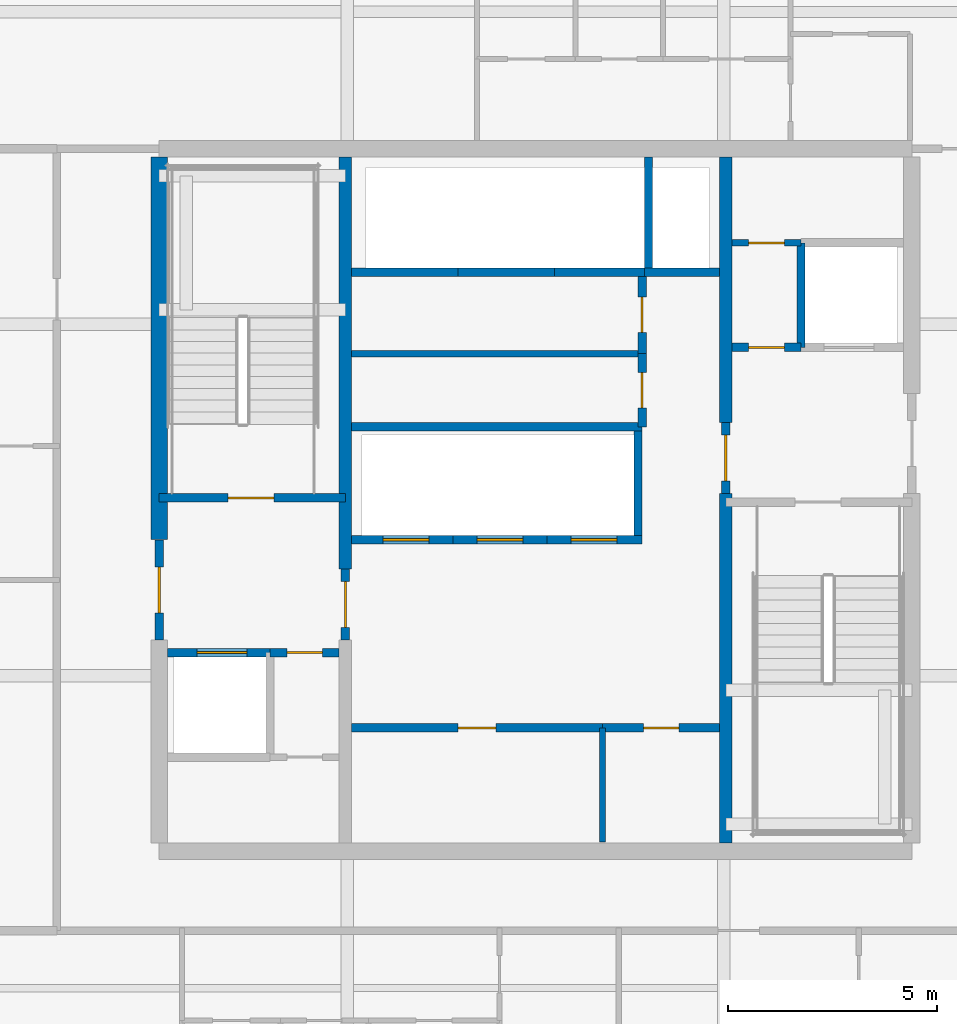
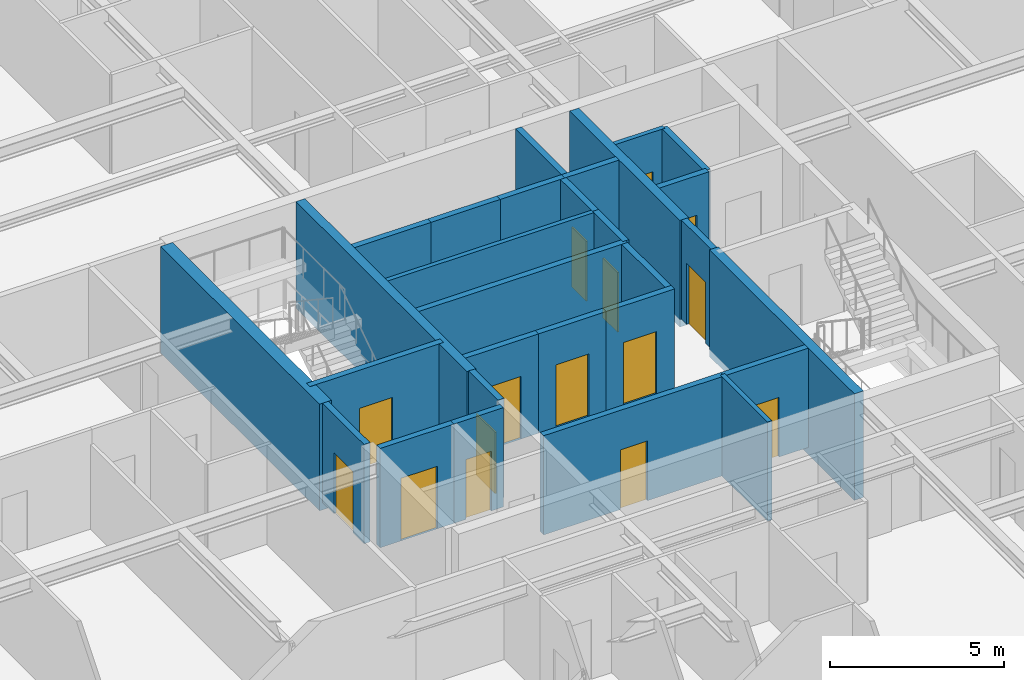
# One storey, part 25 of 34: 29 walls, 15 doors, 15 openings.
"""IFC4 building model written with IfcOpenShell, lengths in metres."""

from ifc_helpers import new_model, si_unit, direction, frame, frame_2d, origin, place, context, subcontext, project, spatial, rectangle, extrude, source, transform, mapped, material, layer, layer_set, type_object, element, fill, save


model = new_model("IFC4")

# Units and contexts
model_context = context("Model", 3, precision=1e-05, world=origin(), true_north=direction((0.0, 1.0)))
body_context = subcontext(model_context, "Body", "Model", "MODEL_VIEW")
ifc_project = project(units=[si_unit("LENGTHUNIT", "METRE"), si_unit("AREAUNIT", "SQUARE_METRE"), si_unit("VOLUMEUNIT", "CUBIC_METRE"), si_unit("PLANEANGLEUNIT", "RADIAN"), si_unit("MASSUNIT", "GRAM", prefix="KILO")], contexts=[model_context])

# Site, building, storey
site_placement = place(None, origin())
site = spatial("IfcSite", under=ifc_project, at=site_placement, CompositionType="ELEMENT")
building_placement = place(site_placement, origin())
building = spatial("IfcBuilding", under=site, at=building_placement, Name="Serunith Strait Residences", CompositionType="ELEMENT")
storey_placement = place(building_placement, frame((0.0, 0.0, 135.14990234375)))
storey = spatial("IfcBuildingStorey", under=building, at=storey_placement, Name="L33", CompositionType="ELEMENT", Elevation=135.14990234375)

# Wall, opening, door
ifc_material_1 = material(Name="Fire-rated masonry service closet wall", Category="masonry")
ifc_layer_1 = layer(ifc_material_1, 0.14990234375, Name="Fire-rated masonry service closet wall")
ifc_layer_set_1 = layer_set([ifc_layer_1], Name="Fire-rated masonry service closet wall")
wall_type_1 = type_object("IfcWallType", Name="IW-BOH-150", PredefinedType="PARTITIONING", material=ifc_layer_set_1)
wall_1_placement = place(storey_placement, frame((37.10009765625, 31.35009765625, 0.0), z_axis=(0.0, 0.0, 1.0), x_axis=(1.0, 0.0, 0.0)))
wall_1 = element("IfcWall", 1, at=wall_1_placement, inside=storey, type_object=wall_type_1, Name="L33 Partition Wall 013", PredefinedType="PARTITIONING", context=body_context, shape_type="SweptSolid", body=[
    extrude(rectangle(XDim=1.64794921875, YDim=0.14990234375, at=frame_2d((0.823974609375, 0.0))), origin(), (0.0, 0.0, 1.0), 3.489990234375),
])
opening_1_placement = place(wall_1_placement, frame((0.39892578125, 0.0, 0.0)))
opening_1 = element("IfcOpeningElement", 2, at=opening_1_placement, cuts=wall_1, Name="Opening FD-850", PredefinedType="OPENING", context=body_context, shape_type="SweptSolid", body=[
    extrude(rectangle(XDim=0.85009765625, YDim=2.10009765625, at=frame_2d((0.425048828125, 1.050048828125))), frame((0.0, 0.0849609375, 0.0), z_axis=(0.0, -1.0, 0.0), x_axis=(1.0, 0.0, 0.0)), (0.0, 0.0, 1.0), 0.169921875),
])
ifc_material_2 = material(Name="Powder-coated steel service closet door", Category="steel")
door_type_1 = type_object("IfcDoorType", Name="FD-BOH-850", OperationType="NOTDEFINED", PredefinedType="DOOR", material=ifc_material_2)
shared_shape_1 = source(origin(), body_context, "Body", "SweptSolid", [
    extrude(rectangle(XDim=0.85009765625, YDim=2.10009765625, at=frame_2d((0.425048828125, 1.050048828125))), frame((0.0, 0.02490234375, 0.0), z_axis=(0.0, -1.0, 0.0), x_axis=(1.0, 0.0, 0.0)), (0.0, 0.0, 1.0), 0.050048828125),
])
door_1_placement = place(opening_1_placement, origin())
door_1 = element("IfcDoor", 3, at=door_1_placement, inside=storey, type_object=door_type_1, Name="L33 Refuse Store Door", OperationType="SINGLE_SWING_RIGHT", OverallHeight=2.10009765625, OverallWidth=0.85009765625, PredefinedType="DOOR", context=body_context, shape_type="MappedRepresentation", body=[
    mapped(shared_shape_1, transform((0.0, 0.0, 0.0), scale=1.0)),
])
fill(opening_1, door_1)

# Walls
wall_2_placement = place(storey_placement, frame((28.0, 28.699951171875, 0.0), z_axis=(0.0, 0.0, 1.0), x_axis=(1.0, 0.0, 0.0)))
element("IfcWall", 4, at=wall_2_placement, inside=storey, type_object=wall_type_1, Name="L33 Partition Wall 016", PredefinedType="PARTITIONING", context=body_context, shape_type="SweptSolid", body=[
    extrude(rectangle(XDim=6.949951171875, YDim=0.14990234375, at=frame_2d((3.47509765625, 0.0))), origin(), (0.0, 0.0, 1.0), 3.489990234375),
])
wall_3_placement = place(storey_placement, frame((34.0, 17.02001953125, 0.0), z_axis=(0.0, 0.0, 1.0), x_axis=(0.0, 1.0, 0.0)))
element("IfcWall", 5, at=wall_3_placement, inside=storey, type_object=wall_type_1, Name="L33 Partition Wall 019", PredefinedType="PARTITIONING", context=body_context, shape_type="SweptSolid", body=[
    extrude(rectangle(XDim=2.72998046875, YDim=0.14990234375, at=frame_2d((1.364990234375, 0.0))), origin(), (0.0, 0.0, 1.0), 3.489990234375),
])

# Wall, opening, door
ifc_material_3 = material(Name="Autoclaved aerated concrete blockwork", Category="masonry")
ifc_layer_2 = layer(ifc_material_3, 0.199951171875, Name="Autoclaved aerated concrete blockwork")
ifc_layer_set_2 = layer_set([ifc_layer_2], Name="Autoclaved aerated concrete blockwork")
wall_type_2 = type_object("IfcWallType", Name="IW-SHAFT-200", PredefinedType="STANDARD", material=ifc_layer_set_2)
wall_4_placement = place(storey_placement, frame((23.39990234375, 25.25, 0.0), z_axis=(0.0, 0.0, 1.0), x_axis=(1.0, 0.0, 0.0)))
wall_4 = element("IfcWall", 6, at=wall_4_placement, inside=storey, type_object=wall_type_2, Name="L33 ST-1 South Shaft Wall", PredefinedType="STANDARD", context=body_context, shape_type="SweptSolid", body=[
    extrude(rectangle(XDim=4.4501953125, YDim=0.199951171875, at=frame_2d((2.22509765625, 0.0))), origin(), (0.0, 0.0, 1.0), 3.489990234375),
])
opening_2_placement = place(wall_4_placement, frame((1.64990234375, 0.0, 0.0)))
opening_2 = element("IfcOpeningElement", 7, at=opening_2_placement, cuts=wall_4, Name="Opening FD-1100", PredefinedType="OPENING", context=body_context, shape_type="SweptSolid", body=[
    extrude(rectangle(XDim=1.10009765625, YDim=2.14990234375, at=frame_2d((0.550048828125, 1.074951171875))), frame((0.0, 0.10986328125, 0.0), z_axis=(0.0, -1.0, 0.0), x_axis=(1.0, 0.0, 0.0)), (0.0, 0.0, 1.0), 0.219970703125),
])
ifc_material_4 = material(Name="Galvanised steel fire door leaf", Category="steel")
door_type_2 = type_object("IfcDoorType", Name="FD-STAIR-1100", OperationType="NOTDEFINED", PredefinedType="DOOR", material=ifc_material_4)
shared_shape_2 = source(origin(), body_context, "Body", "SweptSolid", [
    extrude(rectangle(XDim=1.10009765625, YDim=2.14990234375, at=frame_2d((0.550048828125, 1.074951171875))), frame((0.0, 0.02490234375, 0.0), z_axis=(0.0, -1.0, 0.0), x_axis=(1.0, 0.0, 0.0)), (0.0, 0.0, 1.0), 0.050048828125),
])
door_2_placement = place(opening_2_placement, origin())
door_2 = element("IfcDoor", 8, at=door_2_placement, inside=storey, type_object=door_type_2, Name="L33 ST-1 Escape Stair Door", OperationType="SINGLE_SWING_LEFT", OverallHeight=2.14990234375, OverallWidth=1.10009765625, PredefinedType="DOOR", context=body_context, shape_type="MappedRepresentation", body=[
    mapped(shared_shape_2, transform((0.0, 0.0, 0.0), scale=1.0)),
])
fill(opening_2, door_2)

wall_5_placement = place(storey_placement, frame((23.60009765625, 21.550048828125, 0.0), z_axis=(0.0, 0.0, 1.0), x_axis=(1.0, 0.0, 0.0)))
wall_5 = element("IfcWall", 9, at=wall_5_placement, inside=storey, type_object=wall_type_2, Name="L33 FL-1 North Shaft Wall", PredefinedType="STANDARD", context=body_context, shape_type="SweptSolid", body=[
    extrude(rectangle(XDim=2.449951171875, YDim=0.199951171875, at=frame_2d((1.22509765625, 0.0))), origin(), (0.0, 0.0, 1.0), 3.489990234375),
])
opening_3_placement = place(wall_5_placement, frame((0.699951171875, 0.0, 0.0)))
opening_3 = element("IfcOpeningElement", 10, at=opening_3_placement, cuts=wall_5, Name="Opening LD-FF1200", PredefinedType="OPENING", context=body_context, shape_type="SweptSolid", body=[
    extrude(rectangle(XDim=1.199951171875, YDim=2.199951171875, at=frame_2d((0.60009765625, 1.10009765625))), frame((0.0, 0.10986328125, 0.0), z_axis=(0.0, -1.0, 0.0), x_axis=(1.0, 0.0, 0.0)), (0.0, 0.0, 1.0), 0.219970703125),
])
ifc_material_5 = material(Name="Brushed stainless steel landing door", Category="steel")
door_type_3 = type_object("IfcDoorType", Name="LD-FF-1200", OperationType="DOUBLE_DOOR_SLIDING", PredefinedType="DOOR", material=ifc_material_5)
shared_shape_3 = source(origin(), body_context, "Body", "SweptSolid", [
    extrude(rectangle(XDim=1.199951171875, YDim=2.199951171875, at=frame_2d((0.60009765625, 1.10009765625))), frame((0.0, 0.02490234375, 0.0), z_axis=(0.0, -1.0, 0.0), x_axis=(1.0, 0.0, 0.0)), (0.0, 0.0, 1.0), 0.050048828125),
])
door_3_placement = place(opening_3_placement, origin())
door_3 = element("IfcDoor", 11, at=door_3_placement, inside=storey, type_object=door_type_3, Name="L33 FL-1 Landing Door", OperationType="DOUBLE_DOOR_SLIDING", OverallHeight=2.199951171875, OverallWidth=1.199951171875, PredefinedType="DOOR", context=body_context, shape_type="MappedRepresentation", body=[
    mapped(shared_shape_3, transform((0.0, 0.0, 0.0), scale=1.0)),
])
fill(opening_3, door_3)

wall_6_placement = place(storey_placement, frame((28.0, 24.25, 0.0), z_axis=(0.0, 0.0, 1.0), x_axis=(1.0, 0.0, 0.0)))
wall_6 = element("IfcWall", 12, at=wall_6_placement, inside=storey, type_object=wall_type_2, Name="L33 PL-4 South Shaft Wall", PredefinedType="STANDARD", context=body_context, shape_type="SweptSolid", body=[
    extrude(rectangle(XDim=2.425048828125, YDim=0.199951171875, at=frame_2d((1.21240234375, 0.0))), origin(), (0.0, 0.0, 1.0), 3.489990234375),
])
opening_4_placement = place(wall_6_placement, frame((0.75, 0.0, 0.0)))
opening_4 = element("IfcOpeningElement", 13, at=opening_4_placement, cuts=wall_6, Name="Opening LD-1100", PredefinedType="OPENING", context=body_context, shape_type="SweptSolid", body=[
    extrude(rectangle(XDim=1.10009765625, YDim=2.199951171875, at=frame_2d((0.550048828125, 1.10009765625))), frame((0.0, 0.10986328125, 0.0), z_axis=(0.0, -1.0, 0.0), x_axis=(1.0, 0.0, 0.0)), (0.0, 0.0, 1.0), 0.219970703125),
])
ifc_material_6 = material(Name="Pale-champagne stainless landing door")
door_type_4 = type_object("IfcDoorType", Name="LD-LIFT-1100", OperationType="DOUBLE_DOOR_SLIDING", PredefinedType="DOOR", material=ifc_material_6)
shared_shape_4 = source(origin(), body_context, "Body", "SweptSolid", [
    extrude(rectangle(XDim=1.10009765625, YDim=2.199951171875, at=frame_2d((0.550048828125, 1.10009765625))), frame((0.0, 0.02490234375, 0.0), z_axis=(0.0, -1.0, 0.0), x_axis=(1.0, 0.0, 0.0)), (0.0, 0.0, 1.0), 0.050048828125),
])
door_4_placement = place(opening_4_placement, origin())
door_4 = element("IfcDoor", 14, at=door_4_placement, inside=storey, type_object=door_type_4, Name="L33 PL-4 Landing Door", OperationType="DOUBLE_DOOR_SLIDING", OverallHeight=2.199951171875, OverallWidth=1.10009765625, PredefinedType="DOOR", context=body_context, shape_type="MappedRepresentation", body=[
    mapped(shared_shape_4, transform((0.0, 0.0, 0.0), scale=1.0)),
])
fill(opening_4, door_4)

wall_7_placement = place(storey_placement, frame((30.425048828125, 24.25, 0.0), z_axis=(0.0, 0.0, 1.0), x_axis=(1.0, 0.0, 0.0)))
wall_7 = element("IfcWall", 15, at=wall_7_placement, inside=storey, type_object=wall_type_2, Name="L33 PL-5 South Shaft Wall", PredefinedType="STANDARD", context=body_context, shape_type="SweptSolid", body=[
    extrude(rectangle(XDim=2.25, YDim=0.199951171875, at=frame_2d((1.125, 0.0))), origin(), (0.0, 0.0, 1.0), 3.489990234375),
])
opening_5_placement = place(wall_7_placement, frame((0.574951171875, 0.0, 0.0)))
opening_5 = element("IfcOpeningElement", 16, at=opening_5_placement, cuts=wall_7, Name="Opening LD-1100", PredefinedType="OPENING", context=body_context, shape_type="SweptSolid", body=[
    extrude(rectangle(XDim=1.10009765625, YDim=2.199951171875, at=frame_2d((0.550048828125, 1.10009765625))), frame((0.0, 0.10986328125, 0.0), z_axis=(0.0, -1.0, 0.0), x_axis=(1.0, 0.0, 0.0)), (0.0, 0.0, 1.0), 0.219970703125),
])
door_5_placement = place(opening_5_placement, origin())
door_5 = element("IfcDoor", 17, at=door_5_placement, inside=storey, type_object=door_type_4, Name="L33 PL-5 Landing Door", OperationType="DOUBLE_DOOR_SLIDING", OverallHeight=2.199951171875, OverallWidth=1.10009765625, PredefinedType="DOOR", context=body_context, shape_type="MappedRepresentation", body=[
    mapped(shared_shape_4, transform((0.0, 0.0, 0.0), scale=1.0)),
])
fill(opening_5, door_5)

wall_8_placement = place(storey_placement, frame((32.675048828125, 24.25, 0.0), z_axis=(0.0, 0.0, 1.0), x_axis=(1.0, 0.0, 0.0)))
wall_8 = element("IfcWall", 18, at=wall_8_placement, inside=storey, type_object=wall_type_2, Name="L33 PL-6 South Shaft Wall", PredefinedType="STANDARD", context=body_context, shape_type="SweptSolid", body=[
    extrude(rectangle(XDim=2.27490234375, YDim=0.199951171875, at=frame_2d((1.137451171875, 0.0))), origin(), (0.0, 0.0, 1.0), 3.489990234375),
])
opening_6_placement = place(wall_8_placement, frame((0.574951171875, 0.0, 0.0)))
opening_6 = element("IfcOpeningElement", 19, at=opening_6_placement, cuts=wall_8, Name="Opening LD-1100", PredefinedType="OPENING", context=body_context, shape_type="SweptSolid", body=[
    extrude(rectangle(XDim=1.10009765625, YDim=2.199951171875, at=frame_2d((0.550048828125, 1.10009765625))), frame((0.0, 0.10986328125, 0.0), z_axis=(0.0, -1.0, 0.0), x_axis=(1.0, 0.0, 0.0)), (0.0, 0.0, 1.0), 0.219970703125),
])
door_6_placement = place(opening_6_placement, origin())
door_6 = element("IfcDoor", 20, at=door_6_placement, inside=storey, type_object=door_type_4, Name="L33 PL-6 Landing Door", OperationType="DOUBLE_DOOR_SLIDING", OverallHeight=2.199951171875, OverallWidth=1.10009765625, PredefinedType="DOOR", context=body_context, shape_type="MappedRepresentation", body=[
    mapped(shared_shape_4, transform((0.0, 0.0, 0.0), scale=1.0)),
])
fill(opening_6, door_6)

# Walls
wall_9_placement = place(storey_placement, frame((34.85009765625, 24.35009765625, 0.0), z_axis=(0.0, 0.0, 1.0), x_axis=(0.0, 1.0, 0.0)))
element("IfcWall", 21, at=wall_9_placement, inside=storey, type_object=wall_type_2, Name="L33 PL-6 East Shaft Wall", PredefinedType="STANDARD", context=body_context, shape_type="SweptSolid", body=[
    extrude(rectangle(XDim=2.5, YDim=0.199951171875, at=frame_2d((1.25, 0.0))), origin(), (0.0, 0.0, 1.0), 3.489990234375),
])
wall_10_placement = place(storey_placement, frame((28.0, 30.64990234375, 0.0), z_axis=(0.0, 0.0, 1.0), x_axis=(1.0, 0.0, 0.0)))
element("IfcWall", 22, at=wall_10_placement, inside=storey, type_object=wall_type_2, Name="L33 PL-7 South Shaft Wall", PredefinedType="STANDARD", context=body_context, shape_type="SweptSolid", body=[
    extrude(rectangle(XDim=2.550048828125, YDim=0.199951171875, at=frame_2d((1.27490234375, 0.0))), origin(), (0.0, 0.0, 1.0), 3.489990234375),
])
wall_11_placement = place(storey_placement, frame((30.550048828125, 30.64990234375, 0.0), z_axis=(0.0, 0.0, 1.0), x_axis=(1.0, 0.0, 0.0)))
element("IfcWall", 23, at=wall_11_placement, inside=storey, type_object=wall_type_2, Name="L33 PL-8 South Shaft Wall", PredefinedType="STANDARD", context=body_context, shape_type="SweptSolid", body=[
    extrude(rectangle(XDim=2.300048828125, YDim=0.199951171875, at=frame_2d((1.14990234375, 0.0))), origin(), (0.0, 0.0, 1.0), 3.489990234375),
])
wall_12_placement = place(storey_placement, frame((32.85009765625, 30.64990234375, 0.0), z_axis=(0.0, 0.0, 1.0), x_axis=(1.0, 0.0, 0.0)))
element("IfcWall", 24, at=wall_12_placement, inside=storey, type_object=wall_type_2, Name="L33 PL-9 South Shaft Wall", PredefinedType="STANDARD", context=body_context, shape_type="SweptSolid", body=[
    extrude(rectangle(XDim=2.14990234375, YDim=0.199951171875, at=frame_2d((1.074951171875, 0.0))), origin(), (0.0, 0.0, 1.0), 3.489990234375),
])
wall_13_placement = place(storey_placement, frame((35.0, 30.64990234375, 0.0), z_axis=(0.0, 0.0, 1.0), x_axis=(1.0, 0.0, 0.0)))
element("IfcWall", 25, at=wall_13_placement, inside=storey, type_object=wall_type_2, Name="L33 SL-1 South Shaft Wall", PredefinedType="STANDARD", context=body_context, shape_type="SweptSolid", body=[
    extrude(rectangle(XDim=1.800048828125, YDim=0.199951171875, at=frame_2d((0.89990234375, 0.0))), origin(), (0.0, 0.0, 1.0), 3.489990234375),
])
wall_14_placement = place(storey_placement, frame((35.10009765625, 30.75, 0.0), z_axis=(0.0, 0.0, 1.0), x_axis=(0.0, 1.0, 0.0)))
element("IfcWall", 26, at=wall_14_placement, inside=storey, type_object=wall_type_2, Name="L33 SL-1 West Shaft Wall", PredefinedType="STANDARD", context=body_context, shape_type="SweptSolid", body=[
    extrude(rectangle(XDim=2.64990234375, YDim=0.199951171875, at=frame_2d((1.324951171875, 0.0))), origin(), (0.0, 0.0, 1.0), 3.489990234375),
])

# Wall, opening, door
wall_15_placement = place(storey_placement, frame((26.052001953125, 21.550048828125, 0.0), z_axis=(0.0, 0.0, 1.0), x_axis=(1.0, 0.0, 0.0)))
wall_15 = element("IfcWall", 27, at=wall_15_placement, inside=storey, type_object=wall_type_2, Name="L33 Partition Wall 003", PredefinedType="STANDARD", context=body_context, shape_type="SweptSolid", body=[
    extrude(rectangle(XDim=1.64794921875, YDim=0.199951171875, at=frame_2d((0.823974609375, 0.0))), origin(), (0.0, 0.0, 1.0), 3.489990234375),
])
opening_7_placement = place(wall_15_placement, frame((0.39892578125, 0.0, 0.0)))
opening_7 = element("IfcOpeningElement", 28, at=opening_7_placement, cuts=wall_15, Name="Opening FD-850", PredefinedType="OPENING", context=body_context, shape_type="SweptSolid", body=[
    extrude(rectangle(XDim=0.85009765625, YDim=2.10009765625, at=frame_2d((0.425048828125, 1.050048828125))), frame((0.0, 0.10986328125, 0.0), z_axis=(0.0, -1.0, 0.0), x_axis=(1.0, 0.0, 0.0)), (0.0, 0.0, 1.0), 0.219970703125),
])
door_7_placement = place(opening_7_placement, origin())
door_7 = element("IfcDoor", 29, at=door_7_placement, inside=storey, type_object=door_type_1, Name="L33 South-West Core Service Door", OperationType="SINGLE_SWING_LEFT", OverallHeight=2.10009765625, OverallWidth=0.85009765625, PredefinedType="DOOR", context=body_context, shape_type="MappedRepresentation", body=[
    mapped(shared_shape_1, transform((0.0, 0.0, 0.0), scale=1.0)),
])
fill(opening_7, door_7)

# Wall
wall_16_placement = place(storey_placement, frame((38.75, 28.85009765625, 0.0), z_axis=(0.0, 0.0, 1.0), x_axis=(0.0, 1.0, 0.0)))
element("IfcWall", 30, at=wall_16_placement, inside=storey, type_object=wall_type_2, Name="L33 Partition Wall 004", PredefinedType="STANDARD", context=body_context, shape_type="SweptSolid", body=[
    extrude(rectangle(XDim=2.5, YDim=0.199951171875, at=frame_2d((1.25, 0.0))), origin(), (0.0, 0.0, 1.0), 3.489990234375),
])

# Wall, opening, door
wall_17_placement = place(storey_placement, frame((37.10009765625, 28.85009765625, 0.0), z_axis=(0.0, 0.0, 1.0), x_axis=(1.0, 0.0, 0.0)))
wall_17 = element("IfcWall", 31, at=wall_17_placement, inside=storey, type_object=wall_type_2, Name="L33 Partition Wall 006", PredefinedType="STANDARD", context=body_context, shape_type="SweptSolid", body=[
    extrude(rectangle(XDim=1.64794921875, YDim=0.199951171875, at=frame_2d((0.823974609375, 0.0))), origin(), (0.0, 0.0, 1.0), 3.489990234375),
])
opening_8_placement = place(wall_17_placement, frame((0.39892578125, 0.0, 0.0)))
opening_8 = element("IfcOpeningElement", 32, at=opening_8_placement, cuts=wall_17, Name="Opening FD-850", PredefinedType="OPENING", context=body_context, shape_type="SweptSolid", body=[
    extrude(rectangle(XDim=0.85009765625, YDim=2.10009765625, at=frame_2d((0.425048828125, 1.050048828125))), frame((0.0, 0.10986328125, 0.0), z_axis=(0.0, -1.0, 0.0), x_axis=(1.0, 0.0, 0.0)), (0.0, 0.0, 1.0), 0.219970703125),
])
door_8_placement = place(opening_8_placement, origin())
door_8 = element("IfcDoor", 33, at=door_8_placement, inside=storey, type_object=door_type_1, Name="L33 North-East Core Service Door", OperationType="SINGLE_SWING_RIGHT", OverallHeight=2.10009765625, OverallWidth=0.85009765625, PredefinedType="DOOR", context=body_context, shape_type="MappedRepresentation", body=[
    mapped(shared_shape_1, transform((0.0, 0.0, 0.0), scale=1.0)),
])
fill(opening_8, door_8)

wall_18_placement = place(storey_placement, frame((23.39990234375, 21.85205078125, 0.0), z_axis=(0.0, 0.0, 1.0), x_axis=(0.0, 1.0, 0.0)))
wall_18 = element("IfcWall", 34, at=wall_18_placement, inside=storey, type_object=wall_type_2, Name="L33 Partition Wall 007", PredefinedType="STANDARD", context=body_context, shape_type="SweptSolid", body=[
    extrude(rectangle(XDim=2.39599609375, YDim=0.199951171875, at=frame_2d((1.197998046875, 0.0))), origin(), (0.0, 0.0, 1.0), 3.489990234375),
])
opening_9_placement = place(wall_18_placement, frame((0.64794921875, 0.0, 0.0)))
opening_9 = element("IfcOpeningElement", 35, at=opening_9_placement, cuts=wall_18, Name="Opening FD-FFL", PredefinedType="OPENING", context=body_context, shape_type="SweptSolid", body=[
    extrude(rectangle(XDim=1.10009765625, YDim=2.14990234375, at=frame_2d((0.550048828125, 1.074951171875))), frame((0.0, 0.10986328125, 0.0), z_axis=(0.0, -1.0, 0.0), x_axis=(1.0, 0.0, 0.0)), (0.0, 0.0, 1.0), 0.219970703125),
])
ifc_material_7 = material(Name="Glazed steel smoke-lobby fire door", Category="steel")
door_type_5 = type_object("IfcDoorType", Name="FD-FFL-1100", OperationType="NOTDEFINED", PredefinedType="DOOR", material=ifc_material_7)
door_9_placement = place(opening_9_placement, origin())
door_9 = element("IfcDoor", 36, at=door_9_placement, inside=storey, type_object=door_type_5, Name="L33 FFL-1 Corridor Fire Door", OperationType="SINGLE_SWING_LEFT", OverallHeight=2.14990234375, OverallWidth=1.10009765625, PredefinedType="DOOR", context=body_context, shape_type="MappedRepresentation", body=[
    mapped(shared_shape_2, transform((0.0, 0.0, 0.0), scale=1.0)),
])
fill(opening_9, door_9)

wall_19_placement = place(storey_placement, frame((27.85009765625, 21.85205078125, 0.0), z_axis=(0.0, 0.0, 1.0), x_axis=(0.0, 1.0, 0.0)))
wall_19 = element("IfcWall", 37, at=wall_19_placement, inside=storey, type_object=wall_type_2, Name="L33 Partition Wall 009", PredefinedType="STANDARD", context=body_context, shape_type="SweptSolid", body=[
    extrude(rectangle(XDim=1.696044921875, YDim=0.199951171875, at=frame_2d((0.84814453125, 0.0))), origin(), (0.0, 0.0, 1.0), 3.489990234375),
])
opening_10_placement = place(wall_19_placement, frame((0.298095703125, 0.0, 0.0)))
opening_10 = element("IfcOpeningElement", 38, at=opening_10_placement, cuts=wall_19, Name="Opening FD-FFL", PredefinedType="OPENING", context=body_context, shape_type="SweptSolid", body=[
    extrude(rectangle(XDim=1.10009765625, YDim=2.14990234375, at=frame_2d((0.550048828125, 1.074951171875))), frame((0.0, 0.10986328125, 0.0), z_axis=(0.0, -1.0, 0.0), x_axis=(1.0, 0.0, 0.0)), (0.0, 0.0, 1.0), 0.219970703125),
])
door_10_placement = place(opening_10_placement, origin())
door_10 = element("IfcDoor", 39, at=door_10_placement, inside=storey, type_object=door_type_5, Name="L33 FFL-1 Lift Lobby Door", OperationType="SINGLE_SWING_LEFT", OverallHeight=2.14990234375, OverallWidth=1.10009765625, PredefinedType="DOOR", context=body_context, shape_type="MappedRepresentation", body=[
    mapped(shared_shape_2, transform((0.0, 0.0, 0.0), scale=1.0)),
])
fill(opening_10, door_10)

wall_20_placement = place(storey_placement, frame((36.949951171875, 25.35205078125, 0.0), z_axis=(0.0, 0.0, 1.0), x_axis=(0.0, 1.0, 0.0)))
wall_20 = element("IfcWall", 40, at=wall_20_placement, inside=storey, type_object=wall_type_2, Name="L33 Partition Wall 010", PredefinedType="STANDARD", context=body_context, shape_type="SweptSolid", body=[
    extrude(rectangle(XDim=1.696044921875, YDim=0.199951171875, at=frame_2d((0.84814453125, 0.0))), origin(), (0.0, 0.0, 1.0), 3.489990234375),
])
opening_11_placement = place(wall_20_placement, frame((0.298095703125, 0.0, 0.0)))
opening_11 = element("IfcOpeningElement", 41, at=opening_11_placement, cuts=wall_20, Name="Opening FD-FFL", PredefinedType="OPENING", context=body_context, shape_type="SweptSolid", body=[
    extrude(rectangle(XDim=1.10009765625, YDim=2.14990234375, at=frame_2d((0.550048828125, 1.074951171875))), frame((0.0, 0.10986328125, 0.0), z_axis=(0.0, -1.0, 0.0), x_axis=(1.0, 0.0, 0.0)), (0.0, 0.0, 1.0), 0.219970703125),
])
door_11_placement = place(opening_11_placement, origin())
door_11 = element("IfcDoor", 42, at=door_11_placement, inside=storey, type_object=door_type_5, Name="L33 FFL-2 Lift Lobby Door", OperationType="SINGLE_SWING_RIGHT", OverallHeight=2.14990234375, OverallWidth=1.10009765625, PredefinedType="DOOR", context=body_context, shape_type="MappedRepresentation", body=[
    mapped(shared_shape_2, transform((0.0, 0.0, 0.0), scale=1.0)),
])
fill(opening_11, door_11)

# Wall
wall_21_placement = place(storey_placement, frame((28.0, 26.949951171875, 0.0), z_axis=(0.0, 0.0, 1.0), x_axis=(1.0, 0.0, 0.0)))
element("IfcWall", 43, at=wall_21_placement, inside=storey, type_object=wall_type_2, Name="L33 Partition Wall 011", PredefinedType="STANDARD", context=body_context, shape_type="SweptSolid", body=[
    extrude(rectangle(XDim=6.949951171875, YDim=0.199951171875, at=frame_2d((3.47509765625, 0.0))), origin(), (0.0, 0.0, 1.0), 3.489990234375),
])

# Wall, opening, door
wall_22_placement = place(storey_placement, frame((34.949951171875, 26.949951171875, 0.0), z_axis=(0.0, 0.0, 1.0), x_axis=(0.0, 1.0, 0.0)))
wall_22 = element("IfcWall", 44, at=wall_22_placement, inside=storey, type_object=wall_type_2, Name="L33 Partition Wall 014", PredefinedType="STANDARD", context=body_context, shape_type="SweptSolid", body=[
    extrude(rectangle(XDim=1.75, YDim=0.199951171875, at=frame_2d((0.875, 0.0))), origin(), (0.0, 0.0, 1.0), 3.489990234375),
])
opening_12_placement = place(wall_22_placement, frame((0.449951171875, 0.0, 0.0)))
opening_12 = element("IfcOpeningElement", 45, at=opening_12_placement, cuts=wall_22, Name="Opening FD-850", PredefinedType="OPENING", context=body_context, shape_type="SweptSolid", body=[
    extrude(rectangle(XDim=0.85009765625, YDim=2.10009765625, at=frame_2d((0.425048828125, 1.050048828125))), frame((0.0, 0.10986328125, 0.0), z_axis=(0.0, -1.0, 0.0), x_axis=(1.0, 0.0, 0.0)), (0.0, 0.0, 1.0), 0.219970703125),
])
door_12_placement = place(opening_12_placement, origin())
door_12 = element("IfcDoor", 46, at=door_12_placement, inside=storey, type_object=door_type_1, Name="L33 Chilled Water Pump Door", OperationType="SINGLE_SWING_LEFT", OverallHeight=2.10009765625, OverallWidth=0.85009765625, PredefinedType="DOOR", context=body_context, shape_type="MappedRepresentation", body=[
    mapped(shared_shape_1, transform((0.0, 0.0, 0.0), scale=1.0)),
])
fill(opening_12, door_12)

wall_23_placement = place(storey_placement, frame((34.949951171875, 28.701904296875, 0.0), z_axis=(0.0, 0.0, 1.0), x_axis=(0.0, 1.0, 0.0)))
wall_23 = element("IfcWall", 47, at=wall_23_placement, inside=storey, type_object=wall_type_2, Name="L33 Partition Wall 015", PredefinedType="STANDARD", context=body_context, shape_type="SweptSolid", body=[
    extrude(rectangle(XDim=1.84814453125, YDim=0.199951171875, at=frame_2d((0.924072265625, 0.0))), origin(), (0.0, 0.0, 1.0), 3.489990234375),
])
opening_13_placement = place(wall_23_placement, frame((0.4990234375, 0.0, 0.0)))
opening_13 = element("IfcOpeningElement", 48, at=opening_13_placement, cuts=wall_23, Name="Opening FD-850", PredefinedType="OPENING", context=body_context, shape_type="SweptSolid", body=[
    extrude(rectangle(XDim=0.85009765625, YDim=2.10009765625, at=frame_2d((0.425048828125, 1.050048828125))), frame((0.0, 0.10986328125, 0.0), z_axis=(0.0, -1.0, 0.0), x_axis=(1.0, 0.0, 0.0)), (0.0, 0.0, 1.0), 0.219970703125),
])
door_13_placement = place(opening_13_placement, origin())
door_13 = element("IfcDoor", 49, at=door_13_placement, inside=storey, type_object=door_type_1, Name="L33 Smoke Control Fan Door", OperationType="SINGLE_SWING_RIGHT", OverallHeight=2.10009765625, OverallWidth=0.85009765625, PredefinedType="DOOR", context=body_context, shape_type="MappedRepresentation", body=[
    mapped(shared_shape_1, transform((0.0, 0.0, 0.0), scale=1.0)),
])
fill(opening_13, door_13)

wall_24_placement = place(storey_placement, frame((28.0, 19.75, 0.0), z_axis=(0.0, 0.0, 1.0), x_axis=(1.0, 0.0, 0.0)))
wall_24 = element("IfcWall", 50, at=wall_24_placement, inside=storey, type_object=wall_type_2, Name="L33 Partition Wall 017", PredefinedType="STANDARD", context=body_context, shape_type="SweptSolid", body=[
    extrude(rectangle(XDim=6.0, YDim=0.199951171875, at=frame_2d((3.0, 0.0))), origin(), (0.0, 0.0, 1.0), 3.489990234375),
])
opening_14_placement = place(wall_24_placement, frame((2.550048828125, 0.0, 0.0)))
opening_14 = element("IfcOpeningElement", 51, at=opening_14_placement, cuts=wall_24, Name="Opening FD-900", PredefinedType="OPENING", context=body_context, shape_type="SweptSolid", body=[
    extrude(rectangle(XDim=0.89990234375, YDim=2.10009765625, at=frame_2d((0.449951171875, 1.050048828125))), frame((0.0, 0.10986328125, 0.0), z_axis=(0.0, -1.0, 0.0), x_axis=(1.0, 0.0, 0.0)), (0.0, 0.0, 1.0), 0.219970703125),
])
ifc_material_8 = material(Name="Powder-coated steel riser door", Category="steel")
door_type_6 = type_object("IfcDoorType", Name="FD-BOH-900", OperationType="NOTDEFINED", PredefinedType="DOOR", material=ifc_material_8)
shared_shape_5 = source(origin(), body_context, "Body", "SweptSolid", [
    extrude(rectangle(XDim=0.89990234375, YDim=2.10009765625, at=frame_2d((0.449951171875, 1.050048828125))), frame((0.0, 0.02490234375, 0.0), z_axis=(0.0, -1.0, 0.0), x_axis=(1.0, 0.0, 0.0)), (0.0, 0.0, 1.0), 0.050048828125),
])
door_14_placement = place(opening_14_placement, origin())
door_14 = element("IfcDoor", 52, at=door_14_placement, inside=storey, type_object=door_type_6, Name="L33 Telecoms Comms Door", OperationType="SINGLE_SWING_LEFT", OverallHeight=2.10009765625, OverallWidth=0.89990234375, PredefinedType="DOOR", context=body_context, shape_type="MappedRepresentation", body=[
    mapped(shared_shape_5, transform((0.0, 0.0, 0.0), scale=1.0)),
])
fill(opening_14, door_14)

wall_25_placement = place(storey_placement, frame((34.001953125, 19.75, 0.0), z_axis=(0.0, 0.0, 1.0), x_axis=(1.0, 0.0, 0.0)))
wall_25 = element("IfcWall", 53, at=wall_25_placement, inside=storey, type_object=wall_type_2, Name="L33 Partition Wall 018", PredefinedType="STANDARD", context=body_context, shape_type="SweptSolid", body=[
    extrude(rectangle(XDim=2.798095703125, YDim=0.199951171875, at=frame_2d((1.39892578125, 0.0))), origin(), (0.0, 0.0, 1.0), 3.489990234375),
])
opening_15_placement = place(wall_25_placement, frame((0.97412109375, 0.0, 0.0)))
opening_15 = element("IfcOpeningElement", 54, at=opening_15_placement, cuts=wall_25, Name="Opening FD-850", PredefinedType="OPENING", context=body_context, shape_type="SweptSolid", body=[
    extrude(rectangle(XDim=0.85009765625, YDim=2.10009765625, at=frame_2d((0.425048828125, 1.050048828125))), frame((0.0, 0.10986328125, 0.0), z_axis=(0.0, -1.0, 0.0), x_axis=(1.0, 0.0, 0.0)), (0.0, 0.0, 1.0), 0.219970703125),
])
door_15_placement = place(opening_15_placement, origin())
door_15 = element("IfcDoor", 55, at=door_15_placement, inside=storey, type_object=door_type_1, Name="L33 Floor Linen Closet Door", OperationType="SINGLE_SWING_RIGHT", OverallHeight=2.10009765625, OverallWidth=0.85009765625, PredefinedType="DOOR", context=body_context, shape_type="MappedRepresentation", body=[
    mapped(shared_shape_1, transform((0.0, 0.0, 0.0), scale=1.0)),
])
fill(opening_15, door_15)

# Walls
ifc_material_9 = material(Name="Concrete C70/85", Category="concrete")
ifc_layer_3 = layer(ifc_material_9, 0.300048828125, Name="Concrete C70/85")
ifc_layer_set_3 = layer_set([ifc_layer_3], Name="Concrete C70/85")
wall_type_3 = type_object("IfcWallType", Name="SW-300-C70", PredefinedType="SHEAR", material=ifc_layer_set_3)
wall_26_placement = place(storey_placement, frame((27.85009765625, 23.550048828125, -0.260009765625), z_axis=(0.0, 0.0, 1.0), x_axis=(0.0, 1.0, 0.0)))
element("IfcWall", 56, at=wall_26_placement, inside=storey, type_object=wall_type_3, Name="L33 Core Internal West Web North Pier", PredefinedType="SHEAR", context=body_context, shape_type="SweptSolid", body=[
    extrude(rectangle(XDim=9.849853515625, YDim=0.300048828125, at=frame_2d((4.9248046875, 0.0))), origin(), (0.0, 0.0, 1.0), 3.748046875),
])
wall_27_placement = place(storey_placement, frame((36.949951171875, 17.0, -0.260009765625), z_axis=(0.0, 0.0, 1.0), x_axis=(0.0, 1.0, 0.0)))
element("IfcWall", 57, at=wall_27_placement, inside=storey, type_object=wall_type_3, Name="L33 Core Internal East Web South Pier", PredefinedType="SHEAR", context=body_context, shape_type="SweptSolid", body=[
    extrude(rectangle(XDim=8.35009765625, YDim=0.300048828125, at=frame_2d((4.175048828125, 0.0))), origin(), (0.0, 0.0, 1.0), 3.748046875),
])
wall_28_placement = place(storey_placement, frame((36.949951171875, 27.050048828125, -0.260009765625), z_axis=(0.0, 0.0, 1.0), x_axis=(0.0, 1.0, 0.0)))
element("IfcWall", 58, at=wall_28_placement, inside=storey, type_object=wall_type_3, Name="L33 Core Internal East Web North Pier", PredefinedType="SHEAR", context=body_context, shape_type="SweptSolid", body=[
    extrude(rectangle(XDim=6.349853515625, YDim=0.300048828125, at=frame_2d((3.1748046875, 0.0))), origin(), (0.0, 0.0, 1.0), 3.748046875),
])
ifc_layer_4 = layer(ifc_material_9, 0.39990234375, Name="Concrete C70/85")
ifc_layer_set_4 = layer_set([ifc_layer_4], Name="Concrete C70/85")
wall_type_4 = type_object("IfcWallType", Name="SW-400-C70", PredefinedType="SHEAR", material=ifc_layer_set_4)
wall_29_placement = place(storey_placement, frame((23.39990234375, 24.25, -0.260009765625), z_axis=(0.0, 0.0, 1.0), x_axis=(0.0, 1.0, 0.0)))
element("IfcWall", 59, at=wall_29_placement, inside=storey, type_object=wall_type_4, Name="L33 Core West Shear Wall North Pier", PredefinedType="SHEAR", context=body_context, shape_type="SweptSolid", body=[
    extrude(rectangle(XDim=9.14990234375, YDim=0.39990234375, at=frame_2d((4.574951171875, 0.0))), origin(), (0.0, 0.0, 1.0), 3.748046875),
])

save(model, "model.ifc")
